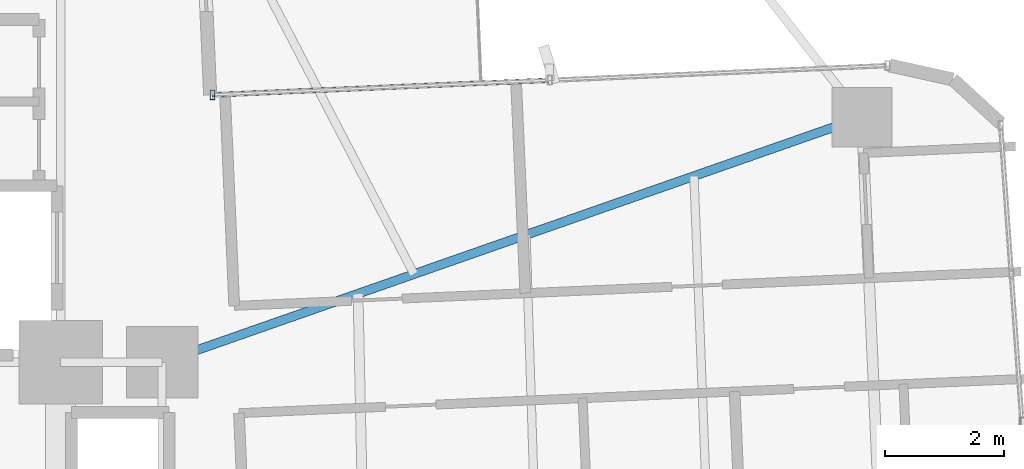
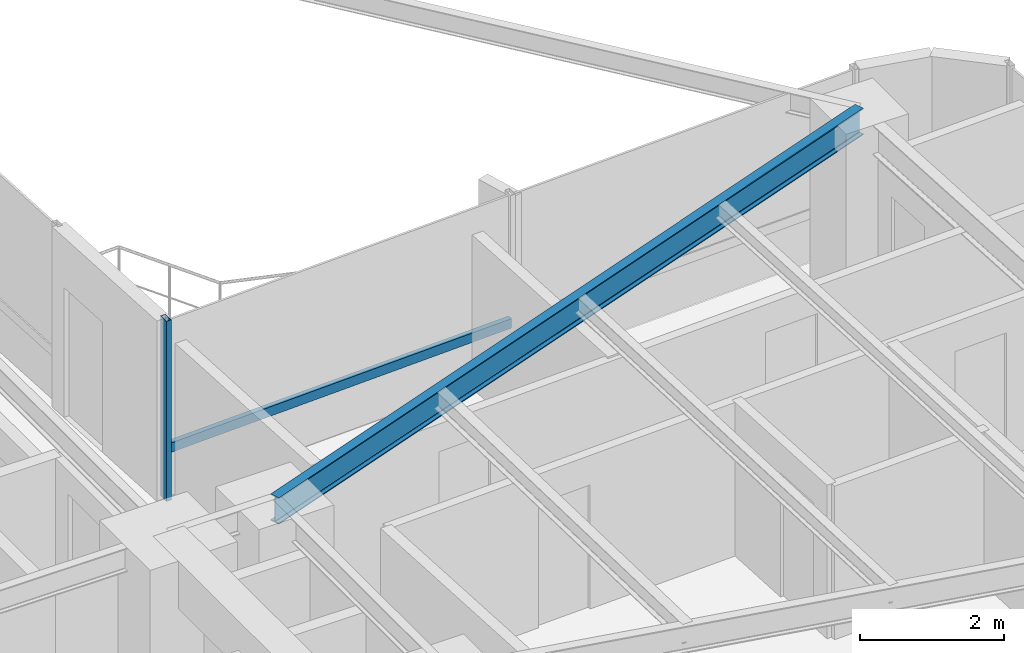
# One storey, part 13 of 27: 2 members, 1 beam, 1 element without a shape of its own.
"""IFC4 building model written with IfcOpenShell, lengths in metres."""

from ifc_helpers import new_model, si_unit, direction, frame, origin, origin_2d, place, context, subcontext, project, spatial, hollow_rectangle, i_section, extrude, source, transform, mapped, material, material_profile, profile_set, type_object, element, aggregate, save


model = new_model("IFC4")

# Units and contexts
model_context = context("Model", 3, precision=1e-05, world=origin(), true_north=direction((0.0, 1.0)))
body_context = subcontext(model_context, "Body", "Model", "MODEL_VIEW")
ifc_project = project(units=[si_unit("LENGTHUNIT", "METRE"), si_unit("AREAUNIT", "SQUARE_METRE"), si_unit("VOLUMEUNIT", "CUBIC_METRE"), si_unit("PLANEANGLEUNIT", "RADIAN"), si_unit("MASSUNIT", "GRAM", prefix="KILO")], contexts=[model_context])

# Site, building, storey
site_placement = place(None, origin())
site = spatial("IfcSite", under=ifc_project, at=site_placement, CompositionType="ELEMENT")
building_placement = place(site_placement, origin())
building = spatial("IfcBuilding", under=site, at=building_placement, Name="Sahyath Konkavel Grand Hotel", CompositionType="ELEMENT")
storey_placement = place(building_placement, frame((0.0, 0.0, 103.60009765625)))
storey = spatial("IfcBuildingStorey", under=building, at=storey_placement, Name="L28", CompositionType="ELEMENT", Elevation=103.60009765625)

# Beam
ifc_material_1 = material(Name="Steel E350", Category="steel")
ifc_material_profile_1 = material_profile(ifc_material_1, i_section(OverallWidth=0.14990234375, OverallDepth=0.449951171875, WebThickness=0.009521484375, FlangeThickness=0.017333984375, FilletRadius=0.014892578125, at=origin_2d()), Name="ISMB 450")
ifc_profile_set_1 = profile_set([ifc_material_profile_1], Name="Steel E350")
beam_type = type_object("IfcBeamType", Name="BM-ISMB450", PredefinedType="BEAM", material=ifc_profile_set_1)
shared_shape_1 = source(origin(), body_context, "Body", "SweptSolid", [
    extrude(i_section(OverallWidth=0.14990234375, OverallDepth=0.449951171875, WebThickness=0.009521484375, FlangeThickness=0.017333984375, FilletRadius=0.014892578125, at=origin_2d()), origin(), (0.0, 0.0, 1.0), 12.430908203125),
])
beam_placement = place(storey_placement, frame((5.5, 2.39990234375, 2.824951171875), z_axis=(0.943819157235, 0.330462400941, 0.0), x_axis=(-0.330462400941, 0.943819157235, 0.0)))
element("IfcBeam", 1, at=beam_placement, inside=storey, type_object=beam_type, Name="L28 Cruciform Radial Girder EB", PredefinedType="BEAM", context=body_context, shape_type="MappedRepresentation", body=[
    mapped(shared_shape_1, transform((0.0, 0.0, 0.0), scale=1.0)),
])

# Curtain wall, members
ifc_material_2 = material(Name="Anodised Bronze Aluminium & Low-E Glazing", Category="aluminium")
curtain_wall_type = type_object("IfcCurtainWallType", Name="CW-ZONE2", PredefinedType="NOTDEFINED", material=ifc_material_2)
curtain_wall_placement = place(storey_placement, origin())
curtain_wall = element("IfcCurtainWall", 2, at=curtain_wall_placement, inside=storey, type_object=curtain_wall_type, Name="L28 Unitised Curtain Wall F7", PredefinedType="NOTDEFINED")
ifc_material_3 = material(Name="Anodised Bronze Aluminium", Category="aluminium")
ifc_material_profile_2 = material_profile(ifc_material_3, hollow_rectangle(XDim=0.080078125, YDim=0.159912109375, WallThickness=0.006103515625, at=origin_2d()), Name="RHS 160x80x6")
ifc_profile_set_2 = profile_set([ifc_material_profile_2], Name="Anodised Bronze Aluminium")
member_type_1 = type_object("IfcMemberType", Name="CW-TRN-160", PredefinedType="USERDEFINED", material=ifc_profile_set_2)
shared_shape_2 = source(origin(), body_context, "Body", "SweptSolid", [
    extrude(hollow_rectangle(XDim=0.080078125, YDim=0.159912109375, WallThickness=0.006103515625, at=origin_2d()), origin(), (0.0, 0.0, 1.0), 5.66015625),
])
member_1_placement = place(storey_placement, frame((12.00048828125, 7.13037109375, 0.849853515625), z_axis=(-0.9990468579, -0.043650609628, 0.0), x_axis=(0.043650609628, -0.9990468579, 0.0)))
member_1 = element("IfcMember", 3, at=member_1_placement, type_object=member_type_1, Name="L28 Curtain Wall Transom F7-1-spandrel", ObjectType="TRANSOM", PredefinedType="USERDEFINED", context=body_context, shape_type="MappedRepresentation", body=[
    mapped(shared_shape_2, transform((0.0, 0.0, 0.0), scale=1.0)),
])
ifc_material_profile_3 = material_profile(ifc_material_3, hollow_rectangle(XDim=0.080078125, YDim=0.159912109375, WallThickness=0.006103515625, at=origin_2d()), Name="RHS 160x80x6")
ifc_profile_set_3 = profile_set([ifc_material_profile_3], Name="Anodised Bronze Aluminium")
member_type_2 = type_object("IfcMemberType", Name="CW-MUL-160", PredefinedType="MULLION", material=ifc_profile_set_3)
shared_shape_3 = source(origin(), body_context, "Body", "SweptSolid", [
    extrude(hollow_rectangle(XDim=0.080078125, YDim=0.159912109375, WallThickness=0.006103515625, at=origin_2d()), origin(), (0.0, 0.0, 1.0), 3.0498046875),
])
member_2_placement = place(storey_placement, frame((6.345703125, 6.88330078125, 0.0), z_axis=(0.0, 0.0, 1.0), x_axis=(1.0, 0.0, 0.0)))
member_2 = element("IfcMember", 4, at=member_2_placement, type_object=member_type_2, Name="L28 Curtain Wall Mullion F7-2", PredefinedType="MULLION", context=body_context, shape_type="MappedRepresentation", body=[
    mapped(shared_shape_3, transform((0.0, 0.0, 0.0), scale=1.0)),
])
aggregate(curtain_wall, [member_2, member_1])

save(model, "model.ifc")
